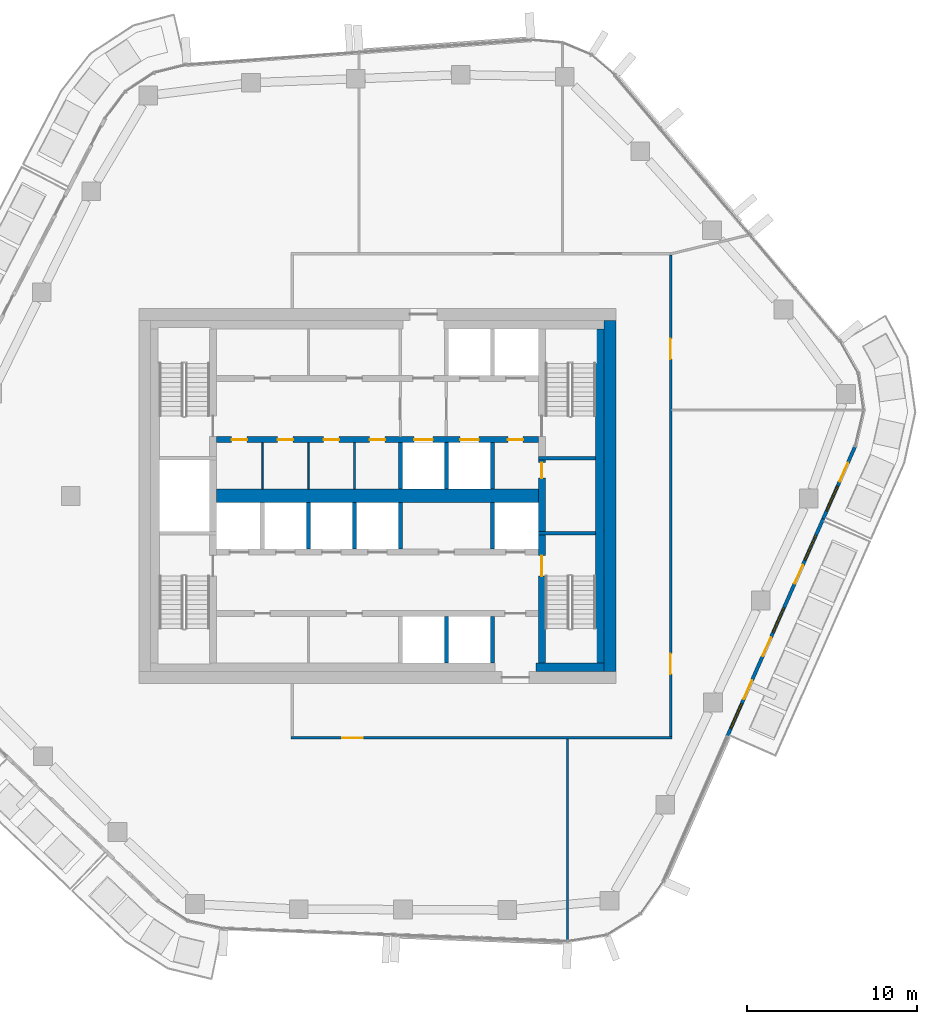
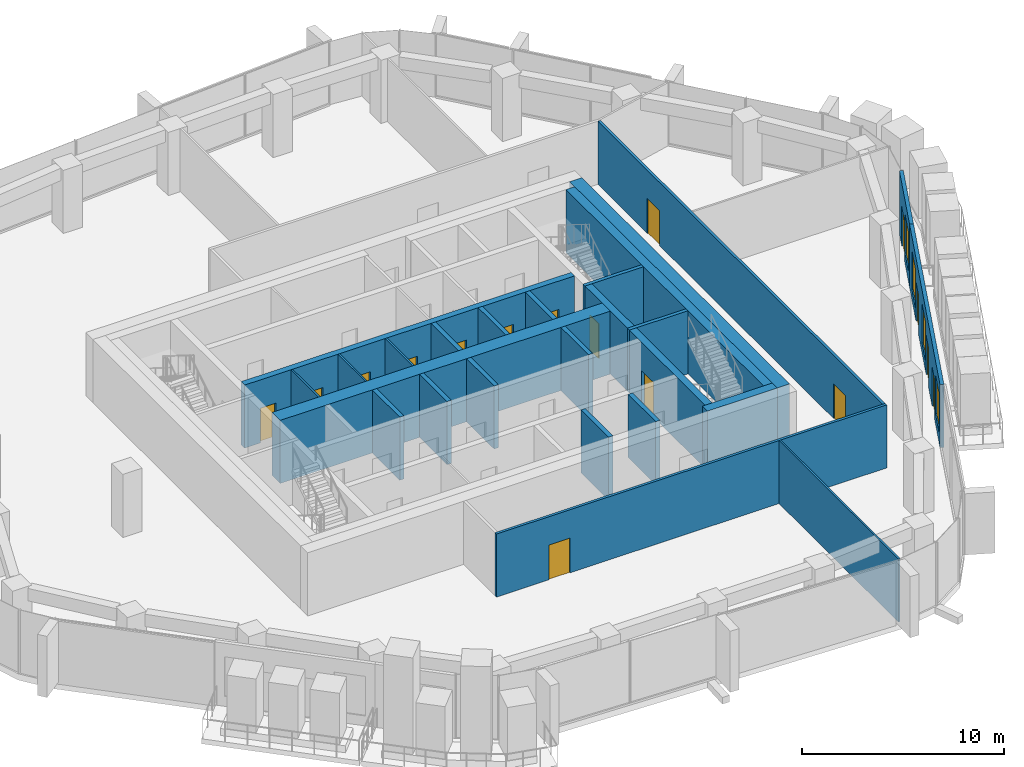
# One storey, part 12 of 21: 26 walls, 16 doors, 4 windows, 20 openings.
"""IFC4 building model written with IfcOpenShell, lengths in metres."""

from ifc_helpers import new_model, si_unit, direction, frame, frame_2d, origin, place, context, subcontext, project, spatial, rectangle, extrude, material, layer, layer_set, type_object, element, fill, save


model = new_model("IFC4")

# Units and contexts
model_context = context("Model", 3, precision=1e-05, world=origin(), true_north=direction((0.0, 1.0)))
body_context = subcontext(model_context, "Body", "Model", "MODEL_VIEW")
ifc_project = project(units=[si_unit("LENGTHUNIT", "METRE"), si_unit("AREAUNIT", "SQUARE_METRE"), si_unit("VOLUMEUNIT", "CUBIC_METRE"), si_unit("PLANEANGLEUNIT", "RADIAN"), si_unit("MASSUNIT", "GRAM", prefix="KILO")], contexts=[model_context])

# Site, building, storey
site_placement = place(None, origin())
site = spatial("IfcSite", under=ifc_project, at=site_placement, CompositionType="ELEMENT")
building_placement = place(site_placement, origin())
building = spatial("IfcBuilding", under=site, at=building_placement, Name="Dongbaek Canopy Tower", CompositionType="ELEMENT")
storey_placement = place(building_placement, frame((0.0, 0.0, 274.800048828125)))
storey = spatial("IfcBuildingStorey", under=building, at=storey_placement, Name="L58", CompositionType="ELEMENT", Elevation=274.800048828125)

# Wall
ifc_material_1 = material(Name="Concrete C60/75", Category="concrete")
ifc_layer_1 = layer(ifc_material_1, 0.800048828125)
ifc_layer_set_1 = layer_set([ifc_layer_1], Name="Core central wall 800 Concrete C60/75")
wall_type_1 = type_object("IfcWallType", Name="Core central wall 800 Concrete C60/75", PredefinedType="SHEAR", material=ifc_layer_set_1)
wall_1_placement = place(storey_placement, frame((-9.449951171875, 0.0, 0.0), z_axis=(0.0, 0.0, 1.0), x_axis=(1.0, 0.0, 0.0)))
element("IfcWall", 1, at=wall_1_placement, inside=storey, type_object=wall_type_1, Name="Core wall", PredefinedType="SHEAR", context=body_context, shape_type="SweptSolid", body=[
    extrude(rectangle(XDim=18.89990234375, YDim=0.800048828125, at=frame_2d((9.449951171875, 0.0))), origin(), (0.0, 0.0, 1.0), 3.820068359375),
])

# Wall, openings, doors
ifc_material_2 = material(Name="Concrete C60/75", Category="concrete")
ifc_layer_2 = layer(ifc_material_2, 0.35009765625)
ifc_layer_set_2 = layer_set([ifc_layer_2], Name="Core lobby wall 350 Concrete C60/75")
wall_type_2 = type_object("IfcWallType", Name="Core lobby wall 350 Concrete C60/75", PredefinedType="SHEAR", material=ifc_layer_set_2)
wall_2_placement = place(storey_placement, frame((9.449951171875, 3.300048828125, 0.0), z_axis=(0.0, 0.0, 1.0), x_axis=(-1.0, 0.0, 0.0)))
wall_2 = element("IfcWall", 2, at=wall_2_placement, inside=storey, type_object=wall_type_2, Name="Core wall", PredefinedType="SHEAR", context=body_context, shape_type="SweptSolid", body=[
    extrude(rectangle(XDim=18.89990234375, YDim=0.35009765625, at=frame_2d((9.449951171875, 0.0))), origin(), (0.0, 0.0, 1.0), 3.820068359375),
])
opening_1_placement = place(wall_2_placement, frame((6.199951171875, 0.0, 0.0)))
opening_1 = element("IfcOpeningElement", 3, at=opening_1_placement, cuts=wall_2, Name="Opening L58-D011", PredefinedType="OPENING", context=body_context, shape_type="SweptSolid", body=[
    extrude(rectangle(XDim=1.10009765625, YDim=2.10009765625, at=frame_2d((0.550048828125, 1.050048828125))), frame((0.0, 0.18505859375, 0.0), z_axis=(0.0, -1.0, 0.0), x_axis=(1.0, 0.0, 0.0)), (0.0, 0.0, 1.0), 0.3701171875),
])
opening_2_placement = place(wall_2_placement, frame((3.5, 0.0, 0.0)))
opening_2 = element("IfcOpeningElement", 4, at=opening_2_placement, cuts=wall_2, Name="Opening L58-D012", PredefinedType="OPENING", context=body_context, shape_type="SweptSolid", body=[
    extrude(rectangle(XDim=1.10009765625, YDim=2.10009765625, at=frame_2d((0.550048828125, 1.050048828125))), frame((0.0, 0.18505859375, 0.0), z_axis=(0.0, -1.0, 0.0), x_axis=(1.0, 0.0, 0.0)), (0.0, 0.0, 1.0), 0.3701171875),
])
opening_3_placement = place(wall_2_placement, frame((0.89990234375, 0.0, 0.0)))
opening_3 = element("IfcOpeningElement", 5, at=opening_3_placement, cuts=wall_2, Name="Opening L58-D013", PredefinedType="OPENING", context=body_context, shape_type="SweptSolid", body=[
    extrude(rectangle(XDim=0.89990234375, YDim=2.10009765625, at=frame_2d((0.449951171875, 1.050048828125))), frame((0.0, 0.18505859375, 0.0), z_axis=(0.0, -1.0, 0.0), x_axis=(1.0, 0.0, 0.0)), (0.0, 0.0, 1.0), 0.3701171875),
])
opening_4_placement = place(wall_2_placement, frame((17.10009765625, 0.0, 0.0)))
opening_4 = element("IfcOpeningElement", 6, at=opening_4_placement, cuts=wall_2, Name="Opening L58-D023", PredefinedType="OPENING", context=body_context, shape_type="SweptSolid", body=[
    extrude(rectangle(XDim=0.89990234375, YDim=2.10009765625, at=frame_2d((0.449951171875, 1.050048828125))), frame((0.0, 0.18505859375, 0.0), z_axis=(0.0, -1.0, 0.0), x_axis=(1.0, 0.0, 0.0)), (0.0, 0.0, 1.0), 0.3701171875),
])
opening_5_placement = place(wall_2_placement, frame((14.39990234375, 0.0, 0.0)))
opening_5 = element("IfcOpeningElement", 7, at=opening_5_placement, cuts=wall_2, Name="Opening L58-D024", PredefinedType="OPENING", context=body_context, shape_type="SweptSolid", body=[
    extrude(rectangle(XDim=0.89990234375, YDim=2.10009765625, at=frame_2d((0.449951171875, 1.050048828125))), frame((0.0, 0.18505859375, 0.0), z_axis=(0.0, -1.0, 0.0), x_axis=(1.0, 0.0, 0.0)), (0.0, 0.0, 1.0), 0.3701171875),
])
opening_6_placement = place(wall_2_placement, frame((11.699951171875, 0.0, 0.0)))
opening_6 = element("IfcOpeningElement", 8, at=opening_6_placement, cuts=wall_2, Name="Opening L58-D025", PredefinedType="OPENING", context=body_context, shape_type="SweptSolid", body=[
    extrude(rectangle(XDim=0.89990234375, YDim=2.10009765625, at=frame_2d((0.449951171875, 1.050048828125))), frame((0.0, 0.18505859375, 0.0), z_axis=(0.0, -1.0, 0.0), x_axis=(1.0, 0.0, 0.0)), (0.0, 0.0, 1.0), 0.3701171875),
])
opening_7_placement = place(wall_2_placement, frame((9.0, 0.0, 0.0)))
opening_7 = element("IfcOpeningElement", 9, at=opening_7_placement, cuts=wall_2, Name="Opening L58-D026", PredefinedType="OPENING", context=body_context, shape_type="SweptSolid", body=[
    extrude(rectangle(XDim=0.89990234375, YDim=2.10009765625, at=frame_2d((0.449951171875, 1.050048828125))), frame((0.0, 0.18505859375, 0.0), z_axis=(0.0, -1.0, 0.0), x_axis=(1.0, 0.0, 0.0)), (0.0, 0.0, 1.0), 0.3701171875),
])
ifc_material_3 = material(Name="Steel", Category="steel")
door_type_1 = type_object("IfcDoorType", Name="Core room door 900 x 2100", OperationType="SINGLE_SWING_LEFT", PredefinedType="DOOR", material=ifc_material_3)
door_1_placement = place(opening_3_placement, origin())
door_1 = element("IfcDoor", 10, at=door_1_placement, inside=storey, type_object=door_type_1, Name="Door L58-D013", OperationType="SINGLE_SWING_LEFT", OverallHeight=2.10009765625, OverallWidth=0.89990234375, PredefinedType="DOOR", context=body_context, shape_type="SweptSolid", body=[
    extrude(rectangle(XDim=0.89990234375, YDim=2.10009765625, at=frame_2d((0.449951171875, 1.050048828125))), frame((0.0, 0.02490234375, 0.0), z_axis=(0.0, -1.0, 0.0), x_axis=(1.0, 0.0, 0.0)), (0.0, 0.0, 1.0), 0.050048828125),
])
fill(opening_3, door_1)
door_2_placement = place(opening_4_placement, origin())
door_2 = element("IfcDoor", 11, at=door_2_placement, inside=storey, type_object=door_type_1, Name="Door L58-D023", OperationType="SINGLE_SWING_RIGHT", OverallHeight=2.10009765625, OverallWidth=0.89990234375, PredefinedType="DOOR", context=body_context, shape_type="SweptSolid", body=[
    extrude(rectangle(XDim=0.89990234375, YDim=2.10009765625, at=frame_2d((0.449951171875, 1.050048828125))), frame((0.0, 0.02490234375, 0.0), z_axis=(0.0, -1.0, 0.0), x_axis=(1.0, 0.0, 0.0)), (0.0, 0.0, 1.0), 0.050048828125),
])
fill(opening_4, door_2)
door_3_placement = place(opening_5_placement, origin())
door_3 = element("IfcDoor", 12, at=door_3_placement, inside=storey, type_object=door_type_1, Name="Door L58-D024", OperationType="SINGLE_SWING_LEFT", OverallHeight=2.10009765625, OverallWidth=0.89990234375, PredefinedType="DOOR", context=body_context, shape_type="SweptSolid", body=[
    extrude(rectangle(XDim=0.89990234375, YDim=2.10009765625, at=frame_2d((0.449951171875, 1.050048828125))), frame((0.0, 0.02490234375, 0.0), z_axis=(0.0, -1.0, 0.0), x_axis=(1.0, 0.0, 0.0)), (0.0, 0.0, 1.0), 0.050048828125),
])
fill(opening_5, door_3)
door_4_placement = place(opening_6_placement, origin())
door_4 = element("IfcDoor", 13, at=door_4_placement, inside=storey, type_object=door_type_1, Name="Door L58-D025", OperationType="SINGLE_SWING_RIGHT", OverallHeight=2.10009765625, OverallWidth=0.89990234375, PredefinedType="DOOR", context=body_context, shape_type="SweptSolid", body=[
    extrude(rectangle(XDim=0.89990234375, YDim=2.10009765625, at=frame_2d((0.449951171875, 1.050048828125))), frame((0.0, 0.02490234375, 0.0), z_axis=(0.0, -1.0, 0.0), x_axis=(1.0, 0.0, 0.0)), (0.0, 0.0, 1.0), 0.050048828125),
])
fill(opening_6, door_4)
door_5_placement = place(opening_7_placement, origin())
door_5 = element("IfcDoor", 14, at=door_5_placement, inside=storey, type_object=door_type_1, Name="Door L58-D026", OperationType="SINGLE_SWING_LEFT", OverallHeight=2.10009765625, OverallWidth=0.89990234375, PredefinedType="DOOR", context=body_context, shape_type="SweptSolid", body=[
    extrude(rectangle(XDim=0.89990234375, YDim=2.10009765625, at=frame_2d((0.449951171875, 1.050048828125))), frame((0.0, 0.02490234375, 0.0), z_axis=(0.0, -1.0, 0.0), x_axis=(1.0, 0.0, 0.0)), (0.0, 0.0, 1.0), 0.050048828125),
])
fill(opening_7, door_5)
ifc_material_4 = material(Name="Stainless steel", Category="steel")
door_type_2 = type_object("IfcDoorType", Name="Lift landing door 1100 x 2100", OperationType="DOUBLE_DOOR_SLIDING", PredefinedType="DOOR", material=ifc_material_4)
door_6_placement = place(opening_1_placement, origin())
door_6 = element("IfcDoor", 15, at=door_6_placement, inside=storey, type_object=door_type_2, Name="Landing door SV1", OperationType="DOUBLE_DOOR_SLIDING", OverallHeight=2.10009765625, OverallWidth=1.10009765625, PredefinedType="DOOR", context=body_context, shape_type="SweptSolid", body=[
    extrude(rectangle(XDim=1.10009765625, YDim=2.10009765625, at=frame_2d((0.550048828125, 1.050048828125))), frame((0.0, 0.02490234375, 0.0), z_axis=(0.0, -1.0, 0.0), x_axis=(1.0, 0.0, 0.0)), (0.0, 0.0, 1.0), 0.050048828125),
])
fill(opening_1, door_6)
door_7_placement = place(opening_2_placement, origin())
door_7 = element("IfcDoor", 16, at=door_7_placement, inside=storey, type_object=door_type_2, Name="Landing door FF3", OperationType="DOUBLE_DOOR_SLIDING", OverallHeight=2.10009765625, OverallWidth=1.10009765625, PredefinedType="DOOR", context=body_context, shape_type="SweptSolid", body=[
    extrude(rectangle(XDim=1.10009765625, YDim=2.10009765625, at=frame_2d((0.550048828125, 1.050048828125))), frame((0.0, 0.02490234375, 0.0), z_axis=(0.0, -1.0, 0.0), x_axis=(1.0, 0.0, 0.0)), (0.0, 0.0, 1.0), 0.050048828125),
])
fill(opening_2, door_7)

# Walls
ifc_material_5 = material(Name="Concrete C70/85", Category="concrete")
ifc_layer_3 = layer(ifc_material_5, 0.699951171875)
ifc_layer_set_3 = layer_set([ifc_layer_3], Name="Core outer wall 700 Concrete C70/85")
wall_type_3 = type_object("IfcWallType", Name="Core outer wall 700 Concrete C70/85", PredefinedType="SHEAR", material=ifc_layer_set_3)
wall_3_placement = place(storey_placement, frame((13.64990234375, 10.300048828125, 0.0), z_axis=(0.0, 0.0, 1.0), x_axis=(0.0, -1.0, 0.0)))
element("IfcWall", 17, at=wall_3_placement, inside=storey, type_object=wall_type_3, Name="Core wall", PredefinedType="SHEAR", context=body_context, shape_type="SweptSolid", body=[
    extrude(rectangle(XDim=20.60009765625, YDim=0.699951171875, at=frame_2d((10.300048828125, 0.0))), origin(), (0.0, 0.0, 1.0), 3.820068359375),
])
ifc_material_6 = material(Name="Concrete C60/75", Category="concrete")
ifc_layer_4 = layer(ifc_material_6, 0.5)
ifc_layer_set_4 = layer_set([ifc_layer_4], Name="Core wall lining 500 Concrete C60/75")
wall_type_4 = type_object("IfcWallType", Name="Core wall lining 500 Concrete C60/75", PredefinedType="SHEAR", material=ifc_layer_set_4)
wall_4_placement = place(storey_placement, frame((13.300048828125, -10.050048828125, 0.0), z_axis=(0.0, 0.0, 1.0), x_axis=(-1.0, 0.0, 0.0)))
element("IfcWall", 18, at=wall_4_placement, inside=storey, type_object=wall_type_4, Name="Core wall lining", PredefinedType="SHEAR", context=body_context, shape_type="SweptSolid", body=[
    extrude(rectangle(XDim=4.0, YDim=0.5, at=frame_2d((2.0, 0.0))), origin(), (0.0, 0.0, 1.0), 3.820068359375),
])
wall_5_placement = place(storey_placement, frame((13.050048828125, 9.800048828125, 0.0), z_axis=(0.0, 0.0, 1.0), x_axis=(0.0, -1.0, 0.0)))
element("IfcWall", 19, at=wall_5_placement, inside=storey, type_object=wall_type_4, Name="Core wall lining", PredefinedType="SHEAR", context=body_context, shape_type="SweptSolid", body=[
    extrude(rectangle(XDim=19.60009765625, YDim=0.5, at=frame_2d((9.800048828125, 0.0))), origin(), (0.0, 0.0, 1.0), 3.820068359375),
])

# Wall, opening, door
ifc_material_7 = material(Name="Gypsum board partition, steel stud, 2 x 15 mm fire board", Category="steel")
ifc_layer_5 = layer(ifc_material_7, 0.14990234375)
ifc_layer_set_5 = layer_set([ifc_layer_5], Name="Fire-rated partition 150 gypsum board")
wall_type_5 = type_object("IfcWallType", Name="Fire-rated partition 150 gypsum board", PredefinedType="PARTITIONING", material=ifc_layer_set_5)
wall_6_placement = place(storey_placement, frame((17.27490234375, -14.199951171875, 0.0), z_axis=(0.0, 0.0, 1.0), x_axis=(-1.0, 0.0, 0.0)))
wall_6 = element("IfcWall", 20, at=wall_6_placement, inside=storey, type_object=wall_type_5, Name="Corridor partition", PredefinedType="PARTITIONING", context=body_context, shape_type="SweptSolid", body=[
    extrude(rectangle(XDim=22.349853515625, YDim=0.14990234375, at=frame_2d((11.1748046875, 0.0))), origin(), (0.0, 0.0, 1.0), 3.820068359375),
])
opening_8_placement = place(wall_6_placement, frame((18.13232421875, 0.0, 0.0)))
opening_8 = element("IfcOpeningElement", 21, at=opening_8_placement, cuts=wall_6, Name="Opening L58-D001", PredefinedType="OPENING", context=body_context, shape_type="SweptSolid", body=[
    extrude(rectangle(XDim=1.199951171875, YDim=2.10009765625, at=frame_2d((0.60009765625, 1.050048828125))), frame((0.0, 0.0849609375, 0.0), z_axis=(0.0, -1.0, 0.0), x_axis=(1.0, 0.0, 0.0)), (0.0, 0.0, 1.0), 0.169921875),
])
ifc_material_8 = material(Name="Timber veneered door leaf", Category="wood")
door_type_3 = type_object("IfcDoorType", Name="Room door 1200 x 2100", OperationType="SINGLE_SWING_LEFT", PredefinedType="DOOR", material=ifc_material_8)
door_8_placement = place(opening_8_placement, origin())
door_8 = element("IfcDoor", 22, at=door_8_placement, inside=storey, type_object=door_type_3, Name="Door L58-D001", OperationType="SINGLE_SWING_RIGHT", OverallHeight=2.10009765625, OverallWidth=1.199951171875, PredefinedType="DOOR", context=body_context, shape_type="SweptSolid", body=[
    extrude(rectangle(XDim=1.199951171875, YDim=2.10009765625, at=frame_2d((0.60009765625, 1.050048828125))), frame((0.0, 0.02490234375, 0.0), z_axis=(0.0, -1.0, 0.0), x_axis=(1.0, 0.0, 0.0)), (0.0, 0.0, 1.0), 0.050048828125),
])
fill(opening_8, door_8)

# Wall, openings, doors
wall_7_placement = place(storey_placement, frame((17.199951171875, 14.125, 0.0), z_axis=(0.0, 0.0, 1.0), x_axis=(0.0, -1.0, 0.0)))
wall_7 = element("IfcWall", 23, at=wall_7_placement, inside=storey, type_object=wall_type_5, Name="Corridor partition", PredefinedType="PARTITIONING", context=body_context, shape_type="SweptSolid", body=[
    extrude(rectangle(XDim=28.25, YDim=0.14990234375, at=frame_2d((14.125, 0.0))), origin(), (0.0, 0.0, 1.0), 3.820068359375),
])
opening_9_placement = place(wall_7_placement, frame((23.378662109375, 0.0, 0.0)))
opening_9 = element("IfcOpeningElement", 24, at=opening_9_placement, cuts=wall_7, Name="Opening L58-D002", PredefinedType="OPENING", context=body_context, shape_type="SweptSolid", body=[
    extrude(rectangle(XDim=1.199951171875, YDim=2.10009765625, at=frame_2d((0.60009765625, 1.050048828125))), frame((0.0, 0.0849609375, 0.0), z_axis=(0.0, -1.0, 0.0), x_axis=(1.0, 0.0, 0.0)), (0.0, 0.0, 1.0), 0.169921875),
])
opening_10_placement = place(wall_7_placement, frame((4.90087890625, 0.0, 0.0)))
opening_10 = element("IfcOpeningElement", 25, at=opening_10_placement, cuts=wall_7, Name="Opening L58-D003", PredefinedType="OPENING", context=body_context, shape_type="SweptSolid", body=[
    extrude(rectangle(XDim=1.199951171875, YDim=2.10009765625, at=frame_2d((0.60009765625, 1.050048828125))), frame((0.0, 0.0849609375, 0.0), z_axis=(0.0, -1.0, 0.0), x_axis=(1.0, 0.0, 0.0)), (0.0, 0.0, 1.0), 0.169921875),
])
door_9_placement = place(opening_9_placement, origin())
door_9 = element("IfcDoor", 26, at=door_9_placement, inside=storey, type_object=door_type_3, Name="Door L58-D002", OperationType="SINGLE_SWING_LEFT", OverallHeight=2.10009765625, OverallWidth=1.199951171875, PredefinedType="DOOR", context=body_context, shape_type="SweptSolid", body=[
    extrude(rectangle(XDim=1.199951171875, YDim=2.10009765625, at=frame_2d((0.60009765625, 1.050048828125))), frame((0.0, 0.02490234375, 0.0), z_axis=(0.0, -1.0, 0.0), x_axis=(1.0, 0.0, 0.0)), (0.0, 0.0, 1.0), 0.050048828125),
])
fill(opening_9, door_9)
door_10_placement = place(opening_10_placement, origin())
door_10 = element("IfcDoor", 27, at=door_10_placement, inside=storey, type_object=door_type_3, Name="Door L58-D003", OperationType="SINGLE_SWING_RIGHT", OverallHeight=2.10009765625, OverallWidth=1.199951171875, PredefinedType="DOOR", context=body_context, shape_type="SweptSolid", body=[
    extrude(rectangle(XDim=1.199951171875, YDim=2.10009765625, at=frame_2d((0.60009765625, 1.050048828125))), frame((0.0, 0.02490234375, 0.0), z_axis=(0.0, -1.0, 0.0), x_axis=(1.0, 0.0, 0.0)), (0.0, 0.0, 1.0), 0.050048828125),
])
fill(opening_10, door_10)

# Walls
ifc_material_9 = material(Name="Concrete C40/50", Category="concrete")
ifc_layer_6 = layer(ifc_material_9, 0.25)
ifc_layer_set_6 = layer_set([ifc_layer_6], Name="Lift shaft wall 250 Concrete C40/50")
wall_type_6 = type_object("IfcWallType", Name="Lift shaft wall 250 Concrete C40/50", PredefinedType="SOLIDWALL", material=ifc_layer_set_6)
for number, where, z_axis, x_axis, name in (
    (28, (6.75, -9.800048828125, 0.0), (0.0, 0.0, 1.0), (0.0, 1.0, 0.0), "Lift shaft wall"),
    (29, (6.75, -3.125, 0.0), (0.0, 0.0, 1.0), (0.0, 1.0, 0.0), "Lift shaft wall"),
    (30, (6.75, 0.39990234375, 0.0), (0.0, 0.0, 1.0), (0.0, 1.0, 0.0), "Lift shaft wall"),
    (31, (4.050048828125, -9.800048828125, 0.0), (0.0, 0.0, 1.0), (0.0, 1.0, 0.0), "Lift shaft wall"),
    (32, (4.050048828125, 0.39990234375, 0.0), (0.0, 0.0, 1.0), (0.0, 1.0, 0.0), "Lift shaft wall"),
    (33, (1.35009765625, -3.125, 0.0), (0.0, 0.0, 1.0), (0.0, 1.0, 0.0), "Lift shaft wall"),
    (34, (1.35009765625, 0.39990234375, 0.0), (0.0, 0.0, 1.0), (0.0, 1.0, 0.0), "Lift shaft wall"),
    (35, (-1.35009765625, -3.125, 0.0), (0.0, 0.0, 1.0), (0.0, 1.0, 0.0), "Lift shaft wall"),
    (36, (-4.050048828125, -3.125, 0.0), (0.0, 0.0, 1.0), (0.0, 1.0, 0.0), "Lift shaft wall"),
):
    element("IfcWall", number, at=place(storey_placement, frame(where, z_axis=z_axis, x_axis=x_axis)), inside=storey, type_object=wall_type_6, Name=name, PredefinedType="SOLIDWALL", context=body_context, shape_type="SweptSolid", body=[
        extrude(rectangle(XDim=2.72509765625, YDim=0.25, at=frame_2d((1.362548828125, 0.0))), origin(), (0.0, 0.0, 1.0), 3.820068359375),
    ])
ifc_material_10 = material(Name="Gypsum board partition, steel stud, 2 x 12.5 mm board", Category="steel")
ifc_layer_7 = layer(ifc_material_10, 0.10009765625)
ifc_layer_set_7 = layer_set([ifc_layer_7], Name="Partition 100 gypsum board")
wall_type_7 = type_object("IfcWallType", Name="Partition 100 gypsum board", PredefinedType="PARTITIONING", material=ifc_layer_set_7)
wall_8_placement = place(storey_placement, frame((11.155029296875, -26.109619140625, 0.0), z_axis=(0.0, 0.0, 1.0), x_axis=(0.0, 1.0, 0.0)))
element("IfcWall", 37, at=wall_8_placement, inside=storey, type_object=wall_type_7, Name="Partition", PredefinedType="PARTITIONING", context=body_context, shape_type="SweptSolid", body=[
    extrude(rectangle(XDim=11.834716796875, YDim=0.10009765625, at=frame_2d((5.91748046875, 0.0))), origin(), (0.0, 0.0, 1.0), 3.820068359375),
])
for number, where, z_axis, x_axis, name in (
    (38, (-1.35009765625, 0.39990234375, 0.0), (0.0, 0.0, 1.0), (0.0, 1.0, 0.0), "Core partition"),
    (39, (-4.050048828125, 0.39990234375, 0.0), (0.0, 0.0, 1.0), (0.0, 1.0, 0.0), "Core partition"),
    (40, (-6.75, 0.39990234375, 0.0), (0.0, 0.0, 1.0), (0.0, 1.0, 0.0), "Core partition"),
):
    element("IfcWall", number, at=place(storey_placement, frame(where, z_axis=z_axis, x_axis=x_axis)), inside=storey, type_object=wall_type_7, Name=name, PredefinedType="PARTITIONING", context=body_context, shape_type="SweptSolid", body=[
        extrude(rectangle(XDim=2.72509765625, YDim=0.10009765625, at=frame_2d((1.362548828125, 0.0))), origin(), (0.0, 0.0, 1.0), 3.820068359375),
    ])
ifc_material_11 = material(Name="Concrete C60/75", Category="concrete")
ifc_layer_8 = layer(ifc_material_11, 0.199951171875)
ifc_layer_set_8 = layer_set([ifc_layer_8], Name="Riser wall 200 Concrete C60/75")
wall_type_8 = type_object("IfcWallType", Name="Riser wall 200 Concrete C60/75", PredefinedType="SHEAR", material=ifc_layer_set_8)
for number, where, z_axis, x_axis, name in (
    (41, (9.449951171875, 2.199951171875, 0.0), (0.0, 0.0, 1.0), (1.0, 0.0, 0.0), "Riser wall"),
    (42, (9.449951171875, -2.199951171875, 0.0), (0.0, 0.0, 1.0), (1.0, 0.0, 0.0), "Riser wall"),
):
    element("IfcWall", number, at=place(storey_placement, frame(where, z_axis=z_axis, x_axis=x_axis)), inside=storey, type_object=wall_type_8, Name=name, PredefinedType="SHEAR", context=body_context, shape_type="SweptSolid", body=[
        extrude(rectangle(XDim=3.35009765625, YDim=0.199951171875, at=frame_2d((1.675048828125, 0.0))), origin(), (0.0, 0.0, 1.0), 3.820068359375),
    ])

# Wall, opening, door
ifc_material_12 = material(Name="Concrete C60/75", Category="concrete")
ifc_layer_9 = layer(ifc_material_12, 0.39990234375)
ifc_layer_set_9 = layer_set([ifc_layer_9], Name="Stair wall 400 Concrete C60/75")
wall_type_9 = type_object("IfcWallType", Name="Stair wall 400 Concrete C60/75", PredefinedType="SHEAR", material=ifc_layer_set_9)
wall_9_placement = place(storey_placement, frame((9.64990234375, -2.300048828125, 0.0), z_axis=(0.0, 0.0, 1.0), x_axis=(0.0, -1.0, 0.0)))
wall_9 = element("IfcWall", 43, at=wall_9_placement, inside=storey, type_object=wall_type_9, Name="Stair wall", PredefinedType="SHEAR", context=body_context, shape_type="SweptSolid", body=[
    extrude(rectangle(XDim=7.5, YDim=0.39990234375, at=frame_2d((3.75, 0.0))), origin(), (0.0, 0.0, 1.0), 3.820068359375),
])
opening_11_placement = place(wall_9_placement, frame((1.199951171875, 0.0, 0.0)))
opening_11 = element("IfcOpeningElement", 44, at=opening_11_placement, cuts=wall_9, Name="Opening L58-D032", PredefinedType="OPENING", context=body_context, shape_type="SweptSolid", body=[
    extrude(rectangle(XDim=1.199951171875, YDim=2.10009765625, at=frame_2d((0.60009765625, 1.050048828125))), frame((0.0, 0.2099609375, 0.0), z_axis=(0.0, -1.0, 0.0), x_axis=(1.0, 0.0, 0.0)), (0.0, 0.0, 1.0), 0.419921875),
])
ifc_material_13 = material(Name="Steel", Category="steel")
door_type_4 = type_object("IfcDoorType", Name="Stair door 1200 x 2100", OperationType="SINGLE_SWING_LEFT", PredefinedType="DOOR", material=ifc_material_13)
door_11_placement = place(opening_11_placement, origin())
door_11 = element("IfcDoor", 45, at=door_11_placement, inside=storey, type_object=door_type_4, Name="Stair B door", OperationType="SINGLE_SWING_RIGHT", OverallHeight=2.10009765625, OverallWidth=1.199951171875, PredefinedType="DOOR", context=body_context, shape_type="SweptSolid", body=[
    extrude(rectangle(XDim=1.199951171875, YDim=2.10009765625, at=frame_2d((0.60009765625, 1.050048828125))), frame((0.0, 0.02490234375, 0.0), z_axis=(0.0, -1.0, 0.0), x_axis=(1.0, 0.0, 0.0)), (0.0, 0.0, 1.0), 0.050048828125),
])
fill(opening_11, door_11)

wall_10_placement = place(storey_placement, frame((9.64990234375, 2.10009765625, 0.0), z_axis=(0.0, 0.0, 1.0), x_axis=(0.0, -1.0, 0.0)))
wall_10 = element("IfcWall", 46, at=wall_10_placement, inside=storey, type_object=wall_type_9, Name="Stair wall", PredefinedType="SHEAR", context=body_context, shape_type="SweptSolid", body=[
    extrude(rectangle(XDim=4.2001953125, YDim=0.39990234375, at=frame_2d((2.10009765625, 0.0))), origin(), (0.0, 0.0, 1.0), 3.820068359375),
])
opening_12_placement = place(wall_10_placement, frame((0.14990234375, 0.0, 0.0)))
opening_12 = element("IfcOpeningElement", 47, at=opening_12_placement, cuts=wall_10, Name="Opening L58-D006", PredefinedType="OPENING", context=body_context, shape_type="SweptSolid", body=[
    extrude(rectangle(XDim=0.89990234375, YDim=2.10009765625, at=frame_2d((0.449951171875, 1.050048828125))), frame((0.0, 0.2099609375, 0.0), z_axis=(0.0, -1.0, 0.0), x_axis=(1.0, 0.0, 0.0)), (0.0, 0.0, 1.0), 0.419921875),
])
door_12_placement = place(opening_12_placement, origin())
door_12 = element("IfcDoor", 48, at=door_12_placement, inside=storey, type_object=door_type_1, Name="Door L58-D006", OperationType="SINGLE_SWING_RIGHT", OverallHeight=2.10009765625, OverallWidth=0.89990234375, PredefinedType="DOOR", context=body_context, shape_type="SweptSolid", body=[
    extrude(rectangle(XDim=0.89990234375, YDim=2.10009765625, at=frame_2d((0.449951171875, 1.050048828125))), frame((0.0, 0.02490234375, 0.0), z_axis=(0.0, -1.0, 0.0), x_axis=(1.0, 0.0, 0.0)), (0.0, 0.0, 1.0), 0.050048828125),
])
fill(opening_12, door_12)

# Wall, openings, doors, windows
ifc_material_14 = material(Name="Aluminium window wall", Category="aluminium")
ifc_layer_10 = layer(ifc_material_14, 0.199951171875)
ifc_layer_set_10 = layer_set([ifc_layer_10], Name="Window wall 200")
wall_type_10 = type_object("IfcWallType", Name="Window wall 200", PredefinedType="SOLIDWALL", material=ifc_layer_set_10)
wall_11_placement = place(storey_placement, frame((20.530517578125, -14.107177734375, 0.0), z_axis=(0.0, 0.0, 1.0), x_axis=(0.40328714446, 0.915073482904, 0.0)))
wall_11 = element("IfcWall", 49, at=wall_11_placement, inside=storey, type_object=wall_type_10, Name="Window wall L58 3", PredefinedType="SOLIDWALL", context=body_context, shape_type="SweptSolid", body=[
    extrude(rectangle(XDim=13.9443359375, YDim=0.199951171875, at=frame_2d((6.97216796875, 0.0))), origin(), (0.0, 0.0, 1.0), 3.820068359375),
])
opening_13_placement = place(wall_11_placement, frame((0.5, 0.0, 0.60009765625)))
opening_13 = element("IfcOpeningElement", 50, at=opening_13_placement, cuts=wall_11, Name="Opening W1", PredefinedType="OPENING", context=body_context, shape_type="SweptSolid", body=[
    extrude(rectangle(XDim=1.60009765625, YDim=2.39990234375, at=frame_2d((0.800048828125, 1.199951171875))), frame((0.0, 0.10986328125, 0.0), z_axis=(0.0, -1.0, 0.0), x_axis=(1.0, 0.0, 0.0)), (0.0, 0.0, 1.0), 0.219970703125),
])
opening_14_placement = place(wall_11_placement, frame((2.39990234375, 0.0, 0.0)))
opening_14 = element("IfcOpeningElement", 51, at=opening_14_placement, cuts=wall_11, Name="Opening L58-B08", PredefinedType="OPENING", context=body_context, shape_type="SweptSolid", body=[
    extrude(rectangle(XDim=1.199951171875, YDim=2.39990234375, at=frame_2d((0.60009765625, 1.199951171875))), frame((0.0, 0.10986328125, 0.0), z_axis=(0.0, -1.0, 0.0), x_axis=(1.0, 0.0, 0.0)), (0.0, 0.0, 1.0), 0.219970703125),
])
opening_15_placement = place(wall_11_placement, frame((6.648193359375, 0.0, 0.60009765625)))
opening_15 = element("IfcOpeningElement", 52, at=opening_15_placement, cuts=wall_11, Name="Opening W1", PredefinedType="OPENING", context=body_context, shape_type="SweptSolid", body=[
    extrude(rectangle(XDim=1.60009765625, YDim=2.39990234375, at=frame_2d((0.800048828125, 1.199951171875))), frame((0.0, 0.10986328125, 0.0), z_axis=(0.0, -1.0, 0.0), x_axis=(1.0, 0.0, 0.0)), (0.0, 0.0, 1.0), 0.219970703125),
])
opening_16_placement = place(wall_11_placement, frame((5.148193359375, 0.0, 0.0)))
opening_16 = element("IfcOpeningElement", 53, at=opening_16_placement, cuts=wall_11, Name="Opening L58-B09", PredefinedType="OPENING", context=body_context, shape_type="SweptSolid", body=[
    extrude(rectangle(XDim=1.199951171875, YDim=2.39990234375, at=frame_2d((0.60009765625, 1.199951171875))), frame((0.0, 0.10986328125, 0.0), z_axis=(0.0, -1.0, 0.0), x_axis=(1.0, 0.0, 0.0)), (0.0, 0.0, 1.0), 0.219970703125),
])
opening_17_placement = place(wall_11_placement, frame((11.296142578125, 0.0, 0.60009765625)))
opening_17 = element("IfcOpeningElement", 54, at=opening_17_placement, cuts=wall_11, Name="Opening W1", PredefinedType="OPENING", context=body_context, shape_type="SweptSolid", body=[
    extrude(rectangle(XDim=1.60009765625, YDim=2.39990234375, at=frame_2d((0.800048828125, 1.199951171875))), frame((0.0, 0.10986328125, 0.0), z_axis=(0.0, -1.0, 0.0), x_axis=(1.0, 0.0, 0.0)), (0.0, 0.0, 1.0), 0.219970703125),
])
opening_18_placement = place(wall_11_placement, frame((9.796142578125, 0.0, 0.0)))
opening_18 = element("IfcOpeningElement", 55, at=opening_18_placement, cuts=wall_11, Name="Opening L58-B10", PredefinedType="OPENING", context=body_context, shape_type="SweptSolid", body=[
    extrude(rectangle(XDim=1.199951171875, YDim=2.39990234375, at=frame_2d((0.60009765625, 1.199951171875))), frame((0.0, 0.10986328125, 0.0), z_axis=(0.0, -1.0, 0.0), x_axis=(1.0, 0.0, 0.0)), (0.0, 0.0, 1.0), 0.219970703125),
])
ifc_material_15 = material(Name="Clear glazing in aluminium frame", Category="aluminium")
door_type_5 = type_object("IfcDoorType", Name="Balcony door BD1 1200 x 2400", OperationType="SLIDING_TO_LEFT", PredefinedType="DOOR", material=ifc_material_15)
door_13_placement = place(opening_14_placement, origin())
door_13 = element("IfcDoor", 56, at=door_13_placement, inside=storey, type_object=door_type_5, Name="Balcony door L58-B08", OperationType="SLIDING_TO_LEFT", OverallHeight=2.39990234375, OverallWidth=1.199951171875, PredefinedType="DOOR", context=body_context, shape_type="SweptSolid", body=[
    extrude(rectangle(XDim=1.199951171875, YDim=2.39990234375, at=frame_2d((0.60009765625, 1.199951171875))), frame((0.0, 0.02490234375, 0.0), z_axis=(0.0, -1.0, 0.0), x_axis=(1.0, 0.0, 0.0)), (0.0, 0.0, 1.0), 0.050048828125),
])
fill(opening_14, door_13)
door_14_placement = place(opening_16_placement, origin())
door_14 = element("IfcDoor", 57, at=door_14_placement, inside=storey, type_object=door_type_5, Name="Balcony door L58-B09", OperationType="SLIDING_TO_LEFT", OverallHeight=2.39990234375, OverallWidth=1.199951171875, PredefinedType="DOOR", context=body_context, shape_type="SweptSolid", body=[
    extrude(rectangle(XDim=1.199951171875, YDim=2.39990234375, at=frame_2d((0.60009765625, 1.199951171875))), frame((0.0, 0.02490234375, 0.0), z_axis=(0.0, -1.0, 0.0), x_axis=(1.0, 0.0, 0.0)), (0.0, 0.0, 1.0), 0.050048828125),
])
fill(opening_16, door_14)
door_15_placement = place(opening_18_placement, origin())
door_15 = element("IfcDoor", 58, at=door_15_placement, inside=storey, type_object=door_type_5, Name="Balcony door L58-B10", OperationType="SLIDING_TO_LEFT", OverallHeight=2.39990234375, OverallWidth=1.199951171875, PredefinedType="DOOR", context=body_context, shape_type="SweptSolid", body=[
    extrude(rectangle(XDim=1.199951171875, YDim=2.39990234375, at=frame_2d((0.60009765625, 1.199951171875))), frame((0.0, 0.02490234375, 0.0), z_axis=(0.0, -1.0, 0.0), x_axis=(1.0, 0.0, 0.0)), (0.0, 0.0, 1.0), 0.050048828125),
])
fill(opening_18, door_15)
ifc_material_16 = material(Name="Clear glazing in aluminium frame", Category="aluminium")
window_type = type_object("IfcWindowType", Name="Window W1 1600 x 2400", PartitioningType="SINGLE_PANEL", PredefinedType="WINDOW", material=ifc_material_16)
window_1_placement = place(opening_13_placement, origin())
window_1 = element("IfcWindow", 59, at=window_1_placement, inside=storey, type_object=window_type, Name="Window L58 3.1", OverallHeight=2.39990234375, OverallWidth=1.60009765625, PartitioningType="SINGLE_PANEL", PredefinedType="WINDOW", context=body_context, shape_type="SweptSolid", body=[
    extrude(rectangle(XDim=1.60009765625, YDim=2.39990234375, at=frame_2d((0.800048828125, 1.199951171875))), frame((0.0, 0.030029296875, 0.0), z_axis=(0.0, -1.0, 0.0), x_axis=(1.0, 0.0, 0.0)), (0.0, 0.0, 1.0), 0.06005859375),
])
fill(opening_13, window_1)
window_2_placement = place(opening_15_placement, origin())
window_2 = element("IfcWindow", 60, at=window_2_placement, inside=storey, type_object=window_type, Name="Window L58 3.2", OverallHeight=2.39990234375, OverallWidth=1.60009765625, PartitioningType="SINGLE_PANEL", PredefinedType="WINDOW", context=body_context, shape_type="SweptSolid", body=[
    extrude(rectangle(XDim=1.60009765625, YDim=2.39990234375, at=frame_2d((0.800048828125, 1.199951171875))), frame((0.0, 0.030029296875, 0.0), z_axis=(0.0, -1.0, 0.0), x_axis=(1.0, 0.0, 0.0)), (0.0, 0.0, 1.0), 0.06005859375),
])
fill(opening_15, window_2)
window_3_placement = place(opening_17_placement, origin())
window_3 = element("IfcWindow", 61, at=window_3_placement, inside=storey, type_object=window_type, Name="Window L58 3.3", OverallHeight=2.39990234375, OverallWidth=1.60009765625, PartitioningType="SINGLE_PANEL", PredefinedType="WINDOW", context=body_context, shape_type="SweptSolid", body=[
    extrude(rectangle(XDim=1.60009765625, YDim=2.39990234375, at=frame_2d((0.800048828125, 1.199951171875))), frame((0.0, 0.030029296875, 0.0), z_axis=(0.0, -1.0, 0.0), x_axis=(1.0, 0.0, 0.0)), (0.0, 0.0, 1.0), 0.06005859375),
])
fill(opening_17, window_3)

# Wall, openings, door, window
wall_12_placement = place(storey_placement, frame((26.154052734375, -1.34716796875, 0.0), z_axis=(0.0, 0.0, 1.0), x_axis=(0.403299401998, 0.915068080718, 0.0)))
wall_12 = element("IfcWall", 62, at=wall_12_placement, inside=storey, type_object=wall_type_10, Name="Window wall L58 4", PredefinedType="SOLIDWALL", context=body_context, shape_type="SweptSolid", body=[
    extrude(rectangle(XDim=4.638916015625, YDim=0.199951171875, at=frame_2d((2.3193359375, 0.0))), origin(), (0.0, 0.0, 1.0), 3.820068359375),
])
opening_19_placement = place(wall_12_placement, frame((0.5, 0.0, 0.60009765625)))
opening_19 = element("IfcOpeningElement", 63, at=opening_19_placement, cuts=wall_12, Name="Opening W1", PredefinedType="OPENING", context=body_context, shape_type="SweptSolid", body=[
    extrude(rectangle(XDim=1.60009765625, YDim=2.39990234375, at=frame_2d((0.800048828125, 1.199951171875))), frame((0.0, 0.10986328125, 0.0), z_axis=(0.0, -1.0, 0.0), x_axis=(1.0, 0.0, 0.0)), (0.0, 0.0, 1.0), 0.219970703125),
])
opening_20_placement = place(wall_12_placement, frame((2.39990234375, 0.0, 0.0)))
opening_20 = element("IfcOpeningElement", 64, at=opening_20_placement, cuts=wall_12, Name="Opening L58-B11", PredefinedType="OPENING", context=body_context, shape_type="SweptSolid", body=[
    extrude(rectangle(XDim=1.199951171875, YDim=2.39990234375, at=frame_2d((0.60009765625, 1.199951171875))), frame((0.0, 0.10986328125, 0.0), z_axis=(0.0, -1.0, 0.0), x_axis=(1.0, 0.0, 0.0)), (0.0, 0.0, 1.0), 0.219970703125),
])
door_16_placement = place(opening_20_placement, origin())
door_16 = element("IfcDoor", 65, at=door_16_placement, inside=storey, type_object=door_type_5, Name="Balcony door L58-B11", OperationType="SLIDING_TO_LEFT", OverallHeight=2.39990234375, OverallWidth=1.199951171875, PredefinedType="DOOR", context=body_context, shape_type="SweptSolid", body=[
    extrude(rectangle(XDim=1.199951171875, YDim=2.39990234375, at=frame_2d((0.60009765625, 1.199951171875))), frame((0.0, 0.02490234375, 0.0), z_axis=(0.0, -1.0, 0.0), x_axis=(1.0, 0.0, 0.0)), (0.0, 0.0, 1.0), 0.050048828125),
])
fill(opening_20, door_16)
window_4_placement = place(opening_19_placement, origin())
window_4 = element("IfcWindow", 66, at=window_4_placement, inside=storey, type_object=window_type, Name="Window L58 4.1", OverallHeight=2.39990234375, OverallWidth=1.60009765625, PartitioningType="SINGLE_PANEL", PredefinedType="WINDOW", context=body_context, shape_type="SweptSolid", body=[
    extrude(rectangle(XDim=1.60009765625, YDim=2.39990234375, at=frame_2d((0.800048828125, 1.199951171875))), frame((0.0, 0.030029296875, 0.0), z_axis=(0.0, -1.0, 0.0), x_axis=(1.0, 0.0, 0.0)), (0.0, 0.0, 1.0), 0.06005859375),
])
fill(opening_19, window_4)

save(model, "model.ifc")
